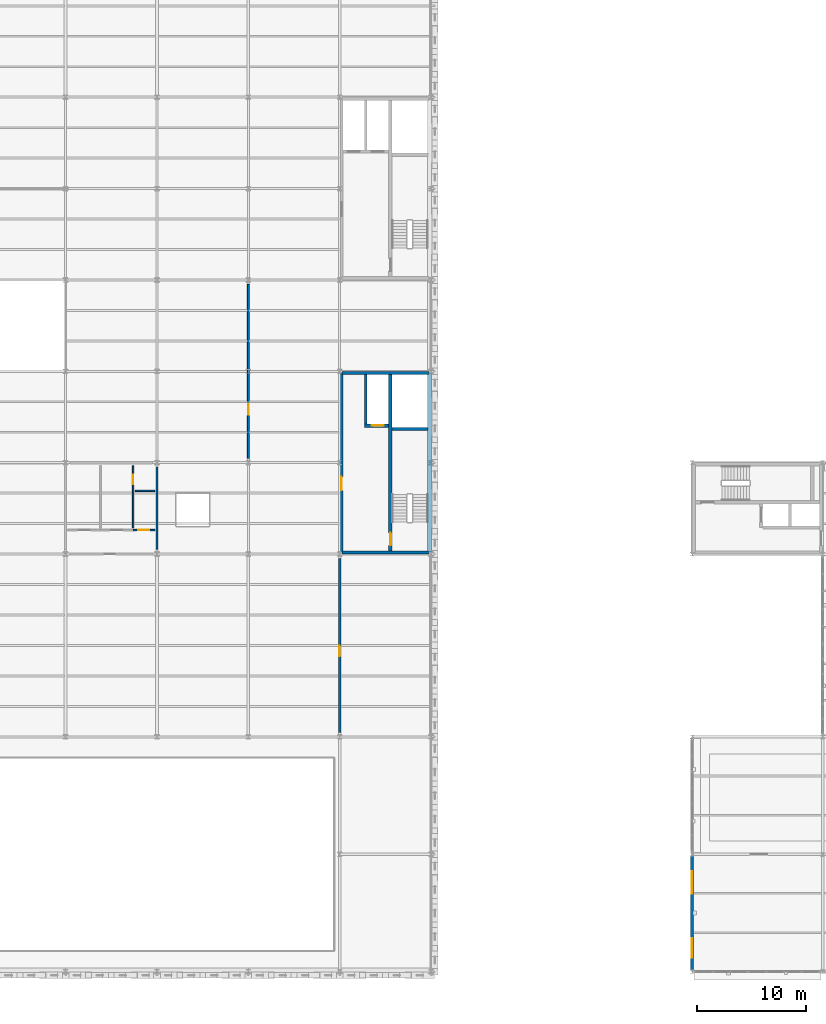
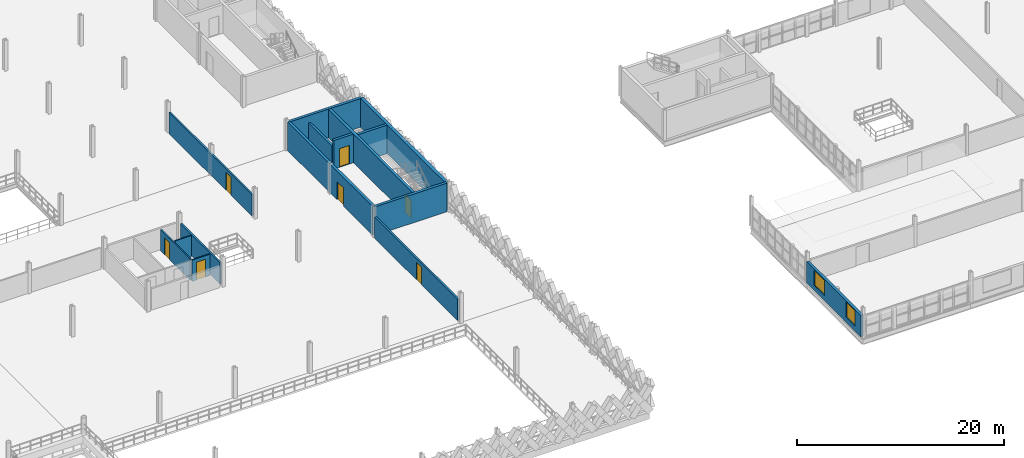
# One storey, part 63 of 79: 15 walls, 7 doors, 2 windows, 9 openings.
"""IFC4 building model written with IfcOpenShell, lengths in metres."""

from ifc_helpers import new_model, si_unit, direction, frame, frame_2d, origin, place, context, subcontext, project, spatial, rectangle, extrude, material, layer, layer_set, type_object, element, fill, save


model = new_model("IFC4")

# Units and contexts
model_context = context("Model", 3, precision=1e-05, world=origin(), true_north=direction((0.0, 1.0)))
body_context = subcontext(model_context, "Body", "Model", "MODEL_VIEW")
ifc_project = project(units=[si_unit("LENGTHUNIT", "METRE"), si_unit("AREAUNIT", "SQUARE_METRE"), si_unit("VOLUMEUNIT", "CUBIC_METRE"), si_unit("PLANEANGLEUNIT", "RADIAN"), si_unit("MASSUNIT", "GRAM", prefix="KILO"), si_unit("THERMODYNAMICTEMPERATUREUNIT", "KELVIN"), si_unit("POWERUNIT", "WATT")], contexts=[model_context])

# Site, building, storey
site_placement = place(None, origin())
site = spatial("IfcSite", under=ifc_project, at=site_placement, CompositionType="ELEMENT")
building_placement = place(site_placement, origin())
building = spatial("IfcBuilding", under=site, at=building_placement, Name="Tembeka Court Mobility Hub", CompositionType="ELEMENT")
storey_placement = place(building_placement, frame((0.0, 0.0, 9.0)))
storey = spatial("IfcBuildingStorey", under=building, at=storey_placement, Name="L02", CompositionType="ELEMENT", Elevation=9.0)

# Wall, openings, windows
ifc_material_1 = material(Name="Precast concrete C45/55", Category="concrete")
ifc_layer_1 = layer(ifc_material_1, 0.280029296875)
ifc_layer_set_1 = layer_set([ifc_layer_1], Name="Precast concrete C45/55")
wall_type_1 = type_object("IfcWallType", Name="WL-EW02", PredefinedType="STANDARD", material=ifc_layer_set_1)
wall_1_placement = place(storey_placement, frame((116.39990234375, 0.158447265625, 0.0), z_axis=(0.0, 0.0, 1.0), x_axis=(0.0, 1.0, 0.0)))
wall_1 = element("IfcWall", 1, at=wall_1_placement, inside=storey, type_object=wall_type_1, Name="External wall EW02 (EW-L02-0098)", PredefinedType="STANDARD", context=body_context, shape_type="SweptSolid", body=[
    extrude(rectangle(XDim=10.483154296875, YDim=0.280029296875, at=frame_2d((5.24169921875, 0.0))), origin(), (0.0, 0.0, 1.0), 2.534912109375),
])
opening_1_placement = place(wall_1_placement, frame((1.1201171875, 0.0, 0.594970703125)))
opening_1 = element("IfcOpeningElement", 2, at=opening_1_placement, cuts=wall_1, Name="Opening WN05", PredefinedType="OPENING", context=body_context, shape_type="SweptSolid", body=[
    extrude(rectangle(XDim=1.800048828125, YDim=1.800048828125, at=frame_2d((0.89990234375, 0.89990234375))), frame((0.0, 0.14990234375, 0.0), z_axis=(0.0, -1.0, 0.0), x_axis=(1.0, 0.0, 0.0)), (0.0, 0.0, 1.0), 0.300048828125),
])
opening_2_placement = place(wall_1_placement, frame((6.989990234375, 0.0, 0.594970703125)))
opening_2 = element("IfcOpeningElement", 3, at=opening_2_placement, cuts=wall_1, Name="Opening WN06", PredefinedType="OPENING", context=body_context, shape_type="SweptSolid", body=[
    extrude(rectangle(XDim=2.10009765625, YDim=1.800048828125, at=frame_2d((1.050048828125, 0.89990234375))), frame((0.0, 0.14990234375, 0.0), z_axis=(0.0, -1.0, 0.0), x_axis=(1.0, 0.0, 0.0)), (0.0, 0.0, 1.0), 0.300048828125),
])
ifc_material_2 = material(Name="Laminated solar-control low-E glass", Category="glass")
window_type_1 = type_object("IfcWindowType", Name="WN-W05", PartitioningType="SINGLE_PANEL", PredefinedType="WINDOW", material=ifc_material_2)
window_1_placement = place(opening_1_placement, origin())
window_1 = element("IfcWindow", 4, at=window_1_placement, inside=storey, type_object=window_type_1, Name="Window WN05-0041", OverallHeight=1.800048828125, OverallWidth=1.800048828125, PartitioningType="SINGLE_PANEL", PredefinedType="WINDOW", context=body_context, shape_type="SweptSolid", body=[
    extrude(rectangle(XDim=1.800048828125, YDim=1.800048828125, at=frame_2d((0.89990234375, 0.89990234375))), frame((0.0, 0.030029296875, 0.0), z_axis=(0.0, -1.0, 0.0), x_axis=(1.0, 0.0, 0.0)), (0.0, 0.0, 1.0), 0.06005859375),
])
fill(opening_1, window_1)
window_type_2 = type_object("IfcWindowType", Name="WN-W06", PartitioningType="SINGLE_PANEL", PredefinedType="WINDOW", material=ifc_material_2)
window_2_placement = place(opening_2_placement, origin())
window_2 = element("IfcWindow", 5, at=window_2_placement, inside=storey, type_object=window_type_2, Name="Window WN06-0042", OverallHeight=1.800048828125, OverallWidth=2.10009765625, PartitioningType="SINGLE_PANEL", PredefinedType="WINDOW", context=body_context, shape_type="SweptSolid", body=[
    extrude(rectangle(XDim=2.10009765625, YDim=1.800048828125, at=frame_2d((1.050048828125, 0.89990234375))), frame((0.0, 0.030029296875, 0.0), z_axis=(0.0, -1.0, 0.0), x_axis=(1.0, 0.0, 0.0)), (0.0, 0.0, 1.0), 0.06005859375),
])
fill(opening_2, window_2)

# Walls
ifc_material_3 = material(Name="Concrete C40/50", Category="concrete")
ifc_layer_2 = layer(ifc_material_3, 0.25)
ifc_layer_set_2 = layer_set([ifc_layer_2], Name="Concrete C40/50")
wall_type_2 = type_object("IfcWallType", Name="WL-IW01", PredefinedType="PARTITIONING", material=ifc_layer_set_2)
wall_2_placement = place(storey_placement, frame((86.39990234375, 50.35009765625, 0.0), z_axis=(0.0, 0.0, 1.0), x_axis=(0.0, 1.0, 0.0)))
element("IfcWall", 6, at=wall_2_placement, inside=storey, type_object=wall_type_2, Name="Wall IW01 (IW-L02-0216)", PredefinedType="PARTITIONING", context=body_context, shape_type="SweptSolid", body=[
    extrude(rectangle(XDim=4.5498046875, YDim=0.25, at=frame_2d((2.27490234375, 0.0))), origin(), (0.0, 0.0, 1.0), 2.52490234375),
])
ifc_material_4 = material(Name="Concrete blockwork masonry", Category="masonry")
ifc_layer_3 = layer(ifc_material_4, 0.199951171875)
ifc_layer_set_3 = layer_set([ifc_layer_3], Name="Concrete blockwork masonry")
wall_type_3 = type_object("IfcWallType", Name="WL-IW02", PredefinedType="PARTITIONING", material=ifc_layer_set_3)
wall_3_placement = place(storey_placement, frame((67.199951171875, 38.800048828125, 0.0), z_axis=(0.0, 0.0, 1.0), x_axis=(0.0, 1.0, 0.0)))
element("IfcWall", 7, at=wall_3_placement, inside=storey, type_object=wall_type_3, Name="Wall IW02 (IW-L02-0369)", PredefinedType="PARTITIONING", context=body_context, shape_type="SweptSolid", body=[
    extrude(rectangle(XDim=7.599853515625, YDim=0.199951171875, at=frame_2d((3.7998046875, 0.0))), origin(), (0.0, 0.0, 1.0), 2.52490234375),
])

# Wall, opening, door
wall_4_placement = place(storey_placement, frame((84.0, 22.0, 0.0), z_axis=(0.0, 0.0, 1.0), x_axis=(0.0, 1.0, 0.0)))
wall_4 = element("IfcWall", 8, at=wall_4_placement, inside=storey, type_object=wall_type_3, Name="Wall IW02 (IW-L02-0437)", PredefinedType="PARTITIONING", context=body_context, shape_type="SweptSolid", body=[
    extrude(rectangle(XDim=16.0, YDim=0.199951171875, at=frame_2d((8.0, 0.0))), origin(), (0.0, 0.0, 1.0), 2.52490234375),
])
opening_3_placement = place(wall_4_placement, frame((7.0, 0.0, 0.0)))
opening_3 = element("IfcOpeningElement", 9, at=opening_3_placement, cuts=wall_4, Name="Opening ID01", PredefinedType="OPENING", context=body_context, shape_type="SweptSolid", body=[
    extrude(rectangle(XDim=0.949951171875, YDim=2.10009765625, at=frame_2d((0.47509765625, 1.050048828125))), frame((0.0, 0.10986328125, 0.0), z_axis=(0.0, -1.0, 0.0), x_axis=(1.0, 0.0, 0.0)), (0.0, 0.0, 1.0), 0.219970703125),
])
ifc_material_5 = material(Name="Powder-coated aluminium glazed doorset", Category="aluminium")
door_type_1 = type_object("IfcDoorType", Name="DR-ID01", OperationType="NOTDEFINED", PredefinedType="DOOR", material=ifc_material_5)
door_1_placement = place(opening_3_placement, origin())
door_1 = element("IfcDoor", 10, at=door_1_placement, inside=storey, type_object=door_type_1, Name="Door ID01-0210", OperationType="SINGLE_SWING_LEFT", OverallHeight=2.10009765625, OverallWidth=0.949951171875, PredefinedType="DOOR", context=body_context, shape_type="SweptSolid", body=[
    extrude(rectangle(XDim=0.949951171875, YDim=2.10009765625, at=frame_2d((0.47509765625, 1.050048828125))), frame((0.0, 0.02490234375, 0.0), z_axis=(0.0, -1.0, 0.0), x_axis=(1.0, 0.0, 0.0)), (0.0, 0.0, 1.0), 0.050048828125),
])
fill(opening_3, door_1)

ifc_layer_4 = layer(ifc_material_4, 0.179931640625)
ifc_layer_set_4 = layer_set([ifc_layer_4], Name="Concrete blockwork masonry")
wall_type_4 = type_object("IfcWallType", Name="WL-IW03", PredefinedType="PARTITIONING", material=ifc_layer_set_4)
wall_5_placement = place(storey_placement, frame((75.60009765625, 47.199951171875, 0.0), z_axis=(0.0, 0.0, 1.0), x_axis=(0.0, 1.0, 0.0)))
wall_5 = element("IfcWall", 11, at=wall_5_placement, inside=storey, type_object=wall_type_4, Name="Wall IW03 (IW-L02-0439)", PredefinedType="PARTITIONING", context=body_context, shape_type="SweptSolid", body=[
    extrude(rectangle(XDim=16.0, YDim=0.179931640625, at=frame_2d((8.0, 0.0))), origin(), (0.0, 0.0, 1.0), 2.52490234375),
])
opening_4_placement = place(wall_5_placement, frame((4.0, 0.0, 0.0)))
opening_4 = element("IfcOpeningElement", 12, at=opening_4_placement, cuts=wall_5, Name="Opening FD05", PredefinedType="OPENING", context=body_context, shape_type="SweptSolid", body=[
    extrude(rectangle(XDim=1.0, YDim=2.14990234375, at=frame_2d((0.5, 1.074951171875))), frame((0.0, 0.10009765625, 0.0), z_axis=(0.0, -1.0, 0.0), x_axis=(1.0, 0.0, 0.0)), (0.0, 0.0, 1.0), 0.199951171875),
])
ifc_material_6 = material(Name="Galvanised steel fire/shutter doorset", Category="steel")
door_type_2 = type_object("IfcDoorType", Name="DR-FD05", OperationType="NOTDEFINED", PredefinedType="DOOR", material=ifc_material_6)
door_2_placement = place(opening_4_placement, origin())
door_2 = element("IfcDoor", 13, at=door_2_placement, inside=storey, type_object=door_type_2, Name="Door FD05-0212", OperationType="SINGLE_SWING_LEFT", OverallHeight=2.14990234375, OverallWidth=1.0, PredefinedType="DOOR", context=body_context, shape_type="SweptSolid", body=[
    extrude(rectangle(XDim=1.0, YDim=2.14990234375, at=frame_2d((0.5, 1.074951171875))), frame((0.0, 0.02490234375, 0.0), z_axis=(0.0, -1.0, 0.0), x_axis=(1.0, 0.0, 0.0)), (0.0, 0.0, 1.0), 0.050048828125),
])
fill(opening_4, door_2)

ifc_material_7 = material(Name="Moisture-resistant gypsum partition", Category="masonry")
ifc_layer_5 = layer(ifc_material_7, 0.139892578125)
ifc_layer_set_5 = layer_set([ifc_layer_5], Name="Moisture-resistant gypsum partition")
wall_type_5 = type_object("IfcWallType", Name="WL-IW05", PredefinedType="PARTITIONING", material=ifc_layer_set_5)
wall_6_placement = place(storey_placement, frame((65.0, 40.60009765625, 0.0), z_axis=(0.0, 0.0, 1.0), x_axis=(1.0, 0.0, 0.0)))
wall_6 = element("IfcWall", 14, at=wall_6_placement, inside=storey, type_object=wall_type_5, Name="Wall IW05 (IW-L02-0372)", PredefinedType="PARTITIONING", context=body_context, shape_type="SweptSolid", body=[
    extrude(rectangle(XDim=2.0, YDim=0.139892578125, at=frame_2d((1.0, 0.0))), origin(), (0.0, 0.0, 1.0), 2.52490234375),
])
opening_5_placement = place(wall_6_placement, frame((0.5, 0.0, 0.0)))
opening_5 = element("IfcOpeningElement", 15, at=opening_5_placement, cuts=wall_6, Name="Opening ID02", PredefinedType="OPENING", context=body_context, shape_type="SweptSolid", body=[
    extrude(rectangle(XDim=1.0, YDim=2.10009765625, at=frame_2d((0.5, 1.050048828125))), frame((0.0, 0.080078125, 0.0), z_axis=(0.0, -1.0, 0.0), x_axis=(1.0, 0.0, 0.0)), (0.0, 0.0, 1.0), 0.159912109375),
])
door_type_3 = type_object("IfcDoorType", Name="DR-ID02", OperationType="NOTDEFINED", PredefinedType="DOOR", material=ifc_material_5)
door_3_placement = place(opening_5_placement, origin())
door_3 = element("IfcDoor", 16, at=door_3_placement, inside=storey, type_object=door_type_3, Name="L02 accessible unisex WC door", OperationType="SINGLE_SWING_LEFT", OverallHeight=2.10009765625, OverallWidth=1.0, PredefinedType="DOOR", context=body_context, shape_type="SweptSolid", body=[
    extrude(rectangle(XDim=1.0, YDim=2.10009765625, at=frame_2d((0.5, 1.050048828125))), frame((0.0, 0.02490234375, 0.0), z_axis=(0.0, -1.0, 0.0), x_axis=(1.0, 0.0, 0.0)), (0.0, 0.0, 1.0), 0.050048828125),
])
fill(opening_5, door_3)

wall_7_placement = place(storey_placement, frame((65.0, 40.800048828125, 0.0), z_axis=(0.0, 0.0, 1.0), x_axis=(0.0, 1.0, 0.0)))
wall_7 = element("IfcWall", 17, at=wall_7_placement, inside=storey, type_object=wall_type_5, Name="Wall IW05 (IW-L02-0374)", PredefinedType="PARTITIONING", context=body_context, shape_type="SweptSolid", body=[
    extrude(rectangle(XDim=5.699951171875, YDim=0.139892578125, at=frame_2d((2.85009765625, 0.0))), origin(), (0.0, 0.0, 1.0), 2.52490234375),
])
opening_6_placement = place(wall_7_placement, frame((4.0, 0.0, 0.0)))
opening_6 = element("IfcOpeningElement", 18, at=opening_6_placement, cuts=wall_7, Name="Opening ID08", PredefinedType="OPENING", context=body_context, shape_type="SweptSolid", body=[
    extrude(rectangle(XDim=0.89990234375, YDim=2.050048828125, at=frame_2d((0.449951171875, 1.02490234375))), frame((0.0, 0.080078125, 0.0), z_axis=(0.0, -1.0, 0.0), x_axis=(1.0, 0.0, 0.0)), (0.0, 0.0, 1.0), 0.159912109375),
])
door_type_4 = type_object("IfcDoorType", Name="DR-ID08", OperationType="NOTDEFINED", PredefinedType="DOOR", material=ifc_material_5)
door_4_placement = place(opening_6_placement, origin())
door_4 = element("IfcDoor", 19, at=door_4_placement, inside=storey, type_object=door_type_4, Name="L02 cleaner cupboard door", OperationType="SINGLE_SWING_RIGHT", OverallHeight=2.050048828125, OverallWidth=0.89990234375, PredefinedType="DOOR", context=body_context, shape_type="SweptSolid", body=[
    extrude(rectangle(XDim=0.89990234375, YDim=2.050048828125, at=frame_2d((0.449951171875, 1.02490234375))), frame((0.0, 0.02490234375, 0.0), z_axis=(0.0, -1.0, 0.0), x_axis=(1.0, 0.0, 0.0)), (0.0, 0.0, 1.0), 0.050048828125),
])
fill(opening_6, door_4)

# Walls
wall_8_placement = place(storey_placement, frame((65.199951171875, 44.199951171875, 0.0), z_axis=(0.0, 0.0, 1.0), x_axis=(1.0, 0.0, 0.0)))
element("IfcWall", 20, at=wall_8_placement, inside=storey, type_object=wall_type_5, Name="Wall IW05 (IW-L02-0375)", PredefinedType="PARTITIONING", context=body_context, shape_type="SweptSolid", body=[
    extrude(rectangle(XDim=1.800048828125, YDim=0.139892578125, at=frame_2d((0.89990234375, 0.0))), origin(), (0.0, 0.0, 1.0), 2.52490234375),
])
ifc_layer_6 = layer(ifc_material_3, 0.300048828125)
ifc_layer_set_6 = layer_set([ifc_layer_6], Name="Concrete C40/50")
wall_type_6 = type_object("IfcWallType", Name="WL-SW01", PredefinedType="SHEAR", material=ifc_layer_set_6)
for number, where, z_axis, x_axis, name in (
    (21, (84.195556640625, 38.550048828125, 0.0), (0.0, 0.0, 1.0), (1.0, 0.0, 0.0), "Wall SW01 (IW-L02-0209)"),
    (22, (84.195556640625, 55.050048828125, 0.0), (0.0, 0.0, 1.0), (1.0, 0.0, 0.0), "Wall SW01 (IW-L02-0210)"),
):
    element("IfcWall", number, at=place(storey_placement, frame(where, z_axis=z_axis, x_axis=x_axis)), inside=storey, type_object=wall_type_6, Name=name, PredefinedType="SHEAR", context=body_context, shape_type="SweptSolid", body=[
        extrude(rectangle(XDim=8.009033203125, YDim=0.300048828125, at=frame_2d((4.00439453125, 0.0))), origin(), (0.0, 0.0, 1.0), 3.3798828125),
    ])
wall_9_placement = place(storey_placement, frame((88.800048828125, 49.89990234375, 0.0), z_axis=(0.0, 0.0, 1.0), x_axis=(1.0, 0.0, 0.0)))
element("IfcWall", 23, at=wall_9_placement, inside=storey, type_object=wall_type_6, Name="Wall SW01 (IW-L02-0211)", PredefinedType="SHEAR", context=body_context, shape_type="SweptSolid", body=[
    extrude(rectangle(XDim=3.300048828125, YDim=0.300048828125, at=frame_2d((1.64990234375, 0.0))), origin(), (0.0, 0.0, 1.0), 3.3798828125),
])

# Wall, opening, door
wall_10_placement = place(storey_placement, frame((84.14990234375, 38.58837890625, 0.0), z_axis=(0.0, 0.0, 1.0), x_axis=(0.0, 1.0, 0.0)))
wall_10 = element("IfcWall", 24, at=wall_10_placement, inside=storey, type_object=wall_type_6, Name="Wall SW01 (IW-L02-0213)", PredefinedType="SHEAR", context=body_context, shape_type="SweptSolid", body=[
    extrude(rectangle(XDim=16.423095703125, YDim=0.300048828125, at=frame_2d((8.21142578125, 0.0))), origin(), (0.0, 0.0, 1.0), 3.3798828125),
])
opening_7_placement = place(wall_10_placement, frame((5.66162109375, 0.0, 0.0)))
opening_7 = element("IfcOpeningElement", 25, at=opening_7_placement, cuts=wall_10, Name="Opening FD01", PredefinedType="OPENING", context=body_context, shape_type="SweptSolid", body=[
    extrude(rectangle(XDim=1.25, YDim=2.14990234375, at=frame_2d((0.625, 1.074951171875))), frame((0.0, 0.16015625, 0.0), z_axis=(0.0, -1.0, 0.0), x_axis=(1.0, 0.0, 0.0)), (0.0, 0.0, 1.0), 0.320068359375),
])
door_type_5 = type_object("IfcDoorType", Name="DR-FD01", OperationType="NOTDEFINED", PredefinedType="DOOR", material=ifc_material_6)
door_5_placement = place(opening_7_placement, origin())
door_5 = element("IfcDoor", 26, at=door_5_placement, inside=storey, type_object=door_type_5, Name="Door FD01-0099", OperationType="SINGLE_SWING_RIGHT", OverallHeight=2.14990234375, OverallWidth=1.25, PredefinedType="DOOR", context=body_context, shape_type="SweptSolid", body=[
    extrude(rectangle(XDim=1.25, YDim=2.14990234375, at=frame_2d((0.625, 1.074951171875))), frame((0.0, 0.02490234375, 0.0), z_axis=(0.0, -1.0, 0.0), x_axis=(1.0, 0.0, 0.0)), (0.0, 0.0, 1.0), 0.050048828125),
])
fill(opening_7, door_5)

wall_11_placement = place(storey_placement, frame((88.64990234375, 38.699951171875, 0.0), z_axis=(0.0, 0.0, 1.0), x_axis=(0.0, 1.0, 0.0)))
wall_11 = element("IfcWall", 27, at=wall_11_placement, inside=storey, type_object=wall_type_6, Name="Wall SW01 (IW-L02-0214)", PredefinedType="SHEAR", context=body_context, shape_type="SweptSolid", body=[
    extrude(rectangle(XDim=16.199951171875, YDim=0.300048828125, at=frame_2d((8.10009765625, 0.0))), origin(), (0.0, 0.0, 1.0), 3.3798828125),
])
opening_8_placement = place(wall_11_placement, frame((0.5, 0.0, 0.0)))
opening_8 = element("IfcOpeningElement", 28, at=opening_8_placement, cuts=wall_11, Name="Opening FD03", PredefinedType="OPENING", context=body_context, shape_type="SweptSolid", body=[
    extrude(rectangle(XDim=1.14990234375, YDim=2.14990234375, at=frame_2d((0.574951171875, 1.074951171875))), frame((0.0, 0.16015625, 0.0), z_axis=(0.0, -1.0, 0.0), x_axis=(1.0, 0.0, 0.0)), (0.0, 0.0, 1.0), 0.320068359375),
])
door_type_6 = type_object("IfcDoorType", Name="DR-FD03", OperationType="NOTDEFINED", PredefinedType="DOOR", material=ifc_material_6)
door_6_placement = place(opening_8_placement, origin())
door_6 = element("IfcDoor", 29, at=door_6_placement, inside=storey, type_object=door_type_6, Name="Door FD03-0100", OperationType="SINGLE_SWING_RIGHT", OverallHeight=2.14990234375, OverallWidth=1.14990234375, PredefinedType="DOOR", context=body_context, shape_type="SweptSolid", body=[
    extrude(rectangle(XDim=1.14990234375, YDim=2.14990234375, at=frame_2d((0.574951171875, 1.074951171875))), frame((0.0, 0.02490234375, 0.0), z_axis=(0.0, -1.0, 0.0), x_axis=(1.0, 0.0, 0.0)), (0.0, 0.0, 1.0), 0.050048828125),
])
fill(opening_8, door_6)

wall_12_placement = place(storey_placement, frame((86.300048828125, 50.199951171875, 0.0), z_axis=(0.0, 0.0, 1.0), x_axis=(1.0, 0.0, 0.0)))
wall_12 = element("IfcWall", 30, at=wall_12_placement, inside=storey, type_object=wall_type_6, Name="Wall SW01 (IW-L02-0215)", PredefinedType="SHEAR", context=body_context, shape_type="SweptSolid", body=[
    extrude(rectangle(XDim=2.199951171875, YDim=0.300048828125, at=frame_2d((1.10009765625, 0.0))), origin(), (0.0, 0.0, 1.0), 3.3798828125),
])
opening_9_placement = place(wall_12_placement, frame((0.64990234375, 0.0, 0.0)))
opening_9 = element("IfcOpeningElement", 31, at=opening_9_placement, cuts=wall_12, Name="Opening LD01", PredefinedType="OPENING", context=body_context, shape_type="SweptSolid", body=[
    extrude(rectangle(XDim=1.10009765625, YDim=2.199951171875, at=frame_2d((0.550048828125, 1.10009765625))), frame((0.0, 0.16015625, 0.0), z_axis=(0.0, -1.0, 0.0), x_axis=(1.0, 0.0, 0.0)), (0.0, 0.0, 1.0), 0.320068359375),
])
door_type_7 = type_object("IfcDoorType", Name="DR-LD01", OperationType="SLIDING_TO_LEFT", PredefinedType="DOOR", material=ifc_material_6)
door_7_placement = place(opening_9_placement, origin())
door_7 = element("IfcDoor", 32, at=door_7_placement, inside=storey, type_object=door_type_7, Name="Lift LF06 landing door L02", OperationType="SLIDING_TO_LEFT", OverallHeight=2.199951171875, OverallWidth=1.10009765625, PredefinedType="DOOR", context=body_context, shape_type="SweptSolid", body=[
    extrude(rectangle(XDim=1.10009765625, YDim=2.199951171875, at=frame_2d((0.550048828125, 1.10009765625))), frame((0.0, 0.02490234375, 0.0), z_axis=(0.0, -1.0, 0.0), x_axis=(1.0, 0.0, 0.0)), (0.0, 0.0, 1.0), 0.050048828125),
])
fill(opening_9, door_7)

# Wall
ifc_layer_7 = layer(ifc_material_3, 0.35009765625)
ifc_layer_set_7 = layer_set([ifc_layer_7], Name="Concrete C40/50")
wall_type_7 = type_object("IfcWallType", Name="WL-SW02", PredefinedType="SHEAR", material=ifc_layer_set_7)
wall_13_placement = place(storey_placement, frame((92.25, 38.58837890625, 0.0), z_axis=(0.0, 0.0, 1.0), x_axis=(0.0, 1.0, 0.0)))
element("IfcWall", 33, at=wall_13_placement, inside=storey, type_object=wall_type_7, Name="Wall SW02 (IW-L02-0212)", PredefinedType="SHEAR", context=body_context, shape_type="SweptSolid", body=[
    extrude(rectangle(XDim=16.423095703125, YDim=0.35009765625, at=frame_2d((8.21142578125, 0.0))), origin(), (0.0, 0.0, 1.0), 3.3798828125),
])

save(model, "model.ifc")
